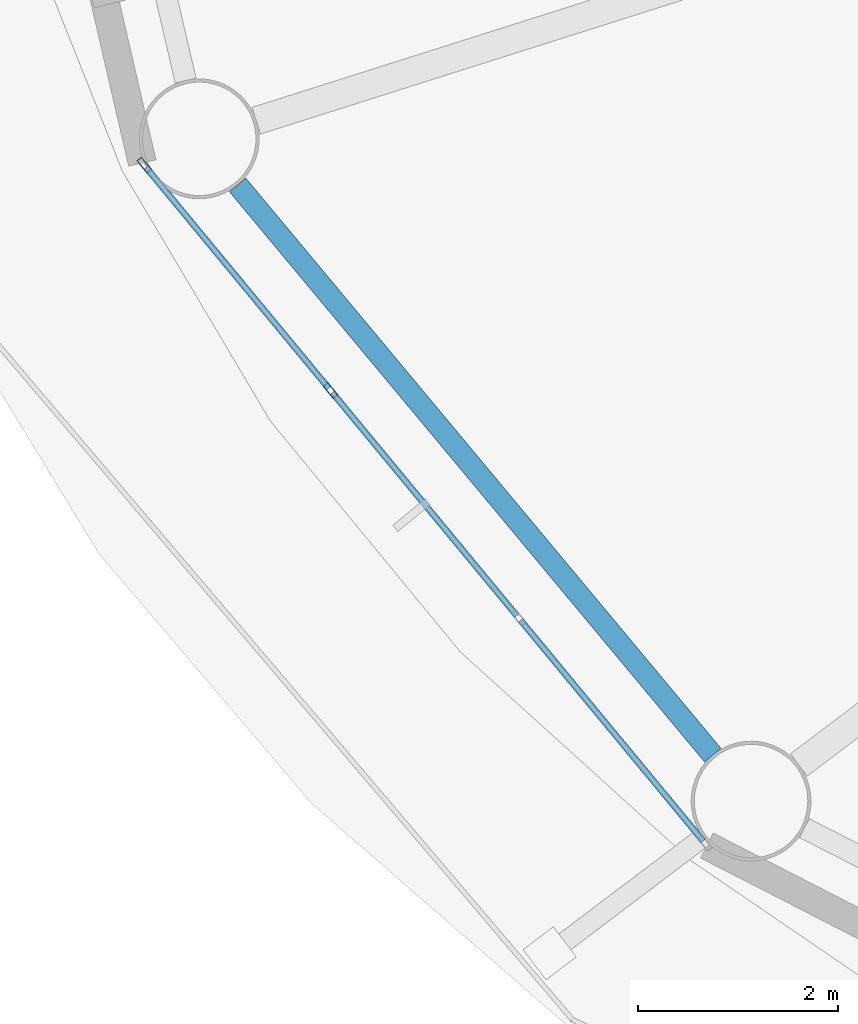
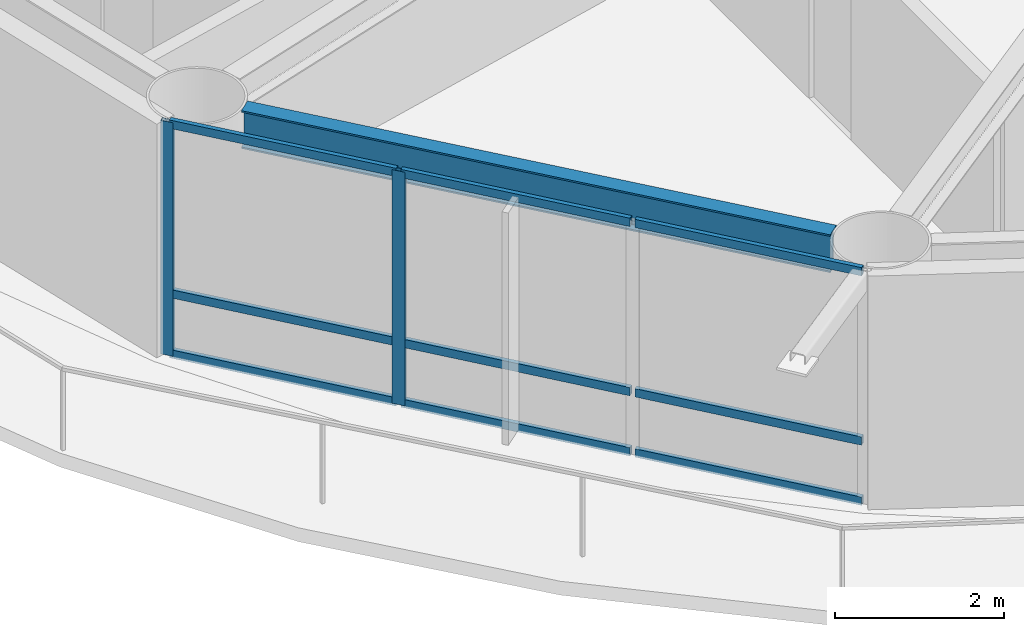
# One storey, part 3 of 27: 11 members, 1 beam, 1 element without a shape of its own.
"""IFC4 building model written with IfcOpenShell, lengths in metres."""

from ifc_helpers import new_model, si_unit, direction, frame, origin, origin_2d, place, context, subcontext, project, spatial, hollow_rectangle, i_section, extrude, material, layer, layer_set, material_profile, profile_set, type_object, element, aggregate, save


model = new_model("IFC4")

# Units and contexts
model_context = context("Model", 3, precision=1e-05, world=origin(), true_north=direction((0.0, 1.0)))
body_context = subcontext(model_context, "Body", "Model", "MODEL_VIEW")
ifc_project = project(units=[si_unit("LENGTHUNIT", "METRE"), si_unit("AREAUNIT", "SQUARE_METRE"), si_unit("VOLUMEUNIT", "CUBIC_METRE"), si_unit("PLANEANGLEUNIT", "RADIAN"), si_unit("MASSUNIT", "GRAM", prefix="KILO")], contexts=[model_context])

# Site, building, storey
site_placement = place(None, origin())
site = spatial("IfcSite", under=ifc_project, at=site_placement, CompositionType="ELEMENT")
building_placement = place(site_placement, origin())
building = spatial("IfcBuilding", under=site, at=building_placement, Name="Sarneth Arch Tower", CompositionType="ELEMENT")
storey_placement = place(building_placement, frame((0.0, 0.0, 186.60009765625)))
storey = spatial("IfcBuildingStorey", under=building, at=storey_placement, Name="L47", CompositionType="ELEMENT", Elevation=186.60009765625)

# Beam
ifc_material_1 = material(Name="Steel S355", Category="steel")
ifc_material_profile_1 = material_profile(ifc_material_1, i_section(OverallWidth=0.214111328125, OverallDepth=0.549072265625, WebThickness=0.0146484375, FlangeThickness=0.023681640625, FilletRadius=0.01806640625, at=origin_2d()), Name="W530x138")
ifc_profile_set_1 = profile_set([ifc_material_profile_1], Name="Steel S355")
beam_type = type_object("IfcBeamType", Name="BM-RAD-530A", PredefinedType="BEAM", material=ifc_profile_set_1)
beam_placement = place(storey_placement, frame((23.721923828125, 33.713134765625, 3.10546875), z_axis=(0.640161793626, -0.768240117399, 0.0), x_axis=(0.768240117399, 0.640161793626, 0.0)))
element("IfcBeam", 1, at=beam_placement, inside=storey, type_object=beam_type, Name="L47 Perimeter spandrel beam 10", PredefinedType="BEAM", context=body_context, shape_type="SweptSolid", body=[
    extrude(i_section(OverallWidth=0.214111328125, OverallDepth=0.549072265625, WebThickness=0.0146484375, FlangeThickness=0.023681640625, FilletRadius=0.01806640625, at=origin_2d()), origin(), (0.0, 0.0, 1.0), 7.43603515625),
])

# Curtain wall, members
ifc_material_2 = material(Name="Anodised aluminium Type AA25 and solar-control low-e laminated IGU", Category="aluminium")
ifc_layer = layer(ifc_material_2, 0.169921875)
ifc_layer_set = layer_set([ifc_layer], Name="Anodised aluminium Type AA25 and solar-control low-e laminated IGU")
curtain_wall_type = type_object("IfcCurtainWallType", Name="CW-RES-MID", PredefinedType="NOTDEFINED", material=ifc_layer_set)
curtain_wall_placement = place(storey_placement, origin())
curtain_wall = element("IfcCurtainWall", 2, at=curtain_wall_placement, inside=storey, type_object=curtain_wall_type, Name="L47 Unitised curtain wall facet 10", PredefinedType="NOTDEFINED")
ifc_material_3 = material(Name="Anodised Aluminium 6063-T6", Category="aluminium")
ifc_material_profile_2 = material_profile(ifc_material_3, hollow_rectangle(XDim=0.06005859375, YDim=0.159912109375, WallThickness=0.00390625, at=origin_2d()), Name="AL-MULL-160x60x4")
ifc_profile_set_2 = profile_set([ifc_material_profile_2], Name="Anodised Aluminium 6063-T6")
member_type_1 = type_object("IfcMemberType", Name="CW-MULLION", PredefinedType="MULLION", material=ifc_profile_set_2)
member_1_placement = place(storey_placement, frame((22.786865234375, 33.909912109375, 0.0), z_axis=(0.0, 0.0, 1.0), x_axis=(0.770590741276, 0.637330298558, 0.0)))
member_1 = element("IfcMember", 3, at=member_1_placement, type_object=member_type_1, Name="CW-SYS-5 mullion 1", PredefinedType="MULLION", context=body_context, shape_type="SweptSolid", body=[
    extrude(hollow_rectangle(XDim=0.06005859375, YDim=0.159912109375, WallThickness=0.00390625, at=origin_2d()), origin(), (0.0, 0.0, 1.0), 3.3798828125),
])
member_2_placement = place(storey_placement, frame((24.653076171875, 31.6533203125, 0.0), z_axis=(0.0, 0.0, 1.0), x_axis=(0.770590741276, 0.637330298558, 0.0)))
member_2 = element("IfcMember", 4, at=member_2_placement, type_object=member_type_1, Name="CW-SYS-5 mullion 2", PredefinedType="MULLION", context=body_context, shape_type="SweptSolid", body=[
    extrude(hollow_rectangle(XDim=0.06005859375, YDim=0.159912109375, WallThickness=0.00390625, at=origin_2d()), origin(), (0.0, 0.0, 1.0), 3.3798828125),
])
ifc_material_4 = material(Name="Anodised Aluminium 6063-T6", Category="aluminium")
ifc_material_profile_3 = material_profile(ifc_material_4, hollow_rectangle(XDim=0.06005859375, YDim=0.1201171875, WallThickness=0.00390625, at=origin_2d()), Name="AL-TRAN-120x60x4")
ifc_profile_set_3 = profile_set([ifc_material_profile_3], Name="Anodised Aluminium 6063-T6")
member_type_2 = type_object("IfcMemberType", Name="CW-TRANSOM", PredefinedType="USERDEFINED", material=ifc_profile_set_3)
member_3_placement = place(storey_placement, frame((22.805908203125, 33.88671875, 0.02978515625), z_axis=(0.637358651504, -0.770567290607, 0.0), x_axis=(0.770567290607, 0.637358651504, 0.0)))
member_3 = element("IfcMember", 5, at=member_3_placement, type_object=member_type_2, Name="CW-SYS-5 transom 1.1", ObjectType="TRANSOM", PredefinedType="USERDEFINED", context=body_context, shape_type="SweptSolid", body=[
    extrude(hollow_rectangle(XDim=0.06005859375, YDim=0.1201171875, WallThickness=0.00390625, at=origin_2d()), origin(), (0.0, 0.0, 1.0), 2.8681640625),
])
member_4_placement = place(storey_placement, frame((22.805908203125, 33.88671875, 0.89990234375), z_axis=(0.637358651504, -0.770567290607, 0.0), x_axis=(0.770567290607, 0.637358651504, 0.0)))
member_4 = element("IfcMember", 6, at=member_4_placement, type_object=member_type_2, Name="CW-SYS-5 transom 1.2", ObjectType="TRANSOM", PredefinedType="USERDEFINED", context=body_context, shape_type="SweptSolid", body=[
    extrude(hollow_rectangle(XDim=0.06005859375, YDim=0.1201171875, WallThickness=0.00390625, at=origin_2d()), origin(), (0.0, 0.0, 1.0), 2.8681640625),
])
member_5_placement = place(storey_placement, frame((22.805908203125, 33.88671875, 3.349853515625), z_axis=(0.637358651504, -0.770567290607, 0.0), x_axis=(0.770567290607, 0.637358651504, 0.0)))
member_5 = element("IfcMember", 7, at=member_5_placement, type_object=member_type_2, Name="CW-SYS-5 transom 1.3", ObjectType="TRANSOM", PredefinedType="USERDEFINED", context=body_context, shape_type="SweptSolid", body=[
    extrude(hollow_rectangle(XDim=0.06005859375, YDim=0.1201171875, WallThickness=0.00390625, at=origin_2d()), origin(), (0.0, 0.0, 1.0), 2.8681640625),
])
member_6_placement = place(storey_placement, frame((24.672119140625, 31.63037109375, 0.02978515625), z_axis=(0.637329777791, -0.770591171985, 0.0), x_axis=(0.770591171985, 0.637329777791, 0.0)))
member_6 = element("IfcMember", 8, at=member_6_placement, type_object=member_type_2, Name="CW-SYS-5 transom 2.1", ObjectType="TRANSOM", PredefinedType="USERDEFINED", context=body_context, shape_type="SweptSolid", body=[
    extrude(hollow_rectangle(XDim=0.06005859375, YDim=0.1201171875, WallThickness=0.00390625, at=origin_2d()), origin(), (0.0, 0.0, 1.0), 2.898193359375),
])
member_7_placement = place(storey_placement, frame((24.672119140625, 31.63037109375, 0.89990234375), z_axis=(0.637329777791, -0.770591171985, 0.0), x_axis=(0.770591171985, 0.637329777791, 0.0)))
member_7 = element("IfcMember", 9, at=member_7_placement, type_object=member_type_2, Name="CW-SYS-5 transom 2.2", ObjectType="TRANSOM", PredefinedType="USERDEFINED", context=body_context, shape_type="SweptSolid", body=[
    extrude(hollow_rectangle(XDim=0.06005859375, YDim=0.1201171875, WallThickness=0.00390625, at=origin_2d()), origin(), (0.0, 0.0, 1.0), 2.898193359375),
])
member_8_placement = place(storey_placement, frame((24.672119140625, 31.63037109375, 3.349853515625), z_axis=(0.637329777791, -0.770591171985, 0.0), x_axis=(0.770591171985, 0.637329777791, 0.0)))
member_8 = element("IfcMember", 10, at=member_8_placement, type_object=member_type_2, Name="CW-SYS-5 transom 2.3", ObjectType="TRANSOM", PredefinedType="USERDEFINED", context=body_context, shape_type="SweptSolid", body=[
    extrude(hollow_rectangle(XDim=0.06005859375, YDim=0.1201171875, WallThickness=0.00390625, at=origin_2d()), origin(), (0.0, 0.0, 1.0), 2.898193359375),
])
member_9_placement = place(storey_placement, frame((26.5576171875, 29.3505859375, 0.02978515625), z_axis=(0.637358651504, -0.770567290607, 0.0), x_axis=(0.770567290607, 0.637358651504, 0.0)))
member_9 = element("IfcMember", 11, at=member_9_placement, type_object=member_type_2, Name="CW-SYS-5 transom 3.1", ObjectType="TRANSOM", PredefinedType="USERDEFINED", context=body_context, shape_type="SweptSolid", body=[
    extrude(hollow_rectangle(XDim=0.06005859375, YDim=0.1201171875, WallThickness=0.00390625, at=origin_2d()), origin(), (0.0, 0.0, 1.0), 2.8681640625),
])
member_10_placement = place(storey_placement, frame((26.5576171875, 29.3505859375, 0.89990234375), z_axis=(0.637358651504, -0.770567290607, 0.0), x_axis=(0.770567290607, 0.637358651504, 0.0)))
member_10 = element("IfcMember", 12, at=member_10_placement, type_object=member_type_2, Name="CW-SYS-5 transom 3.2", ObjectType="TRANSOM", PredefinedType="USERDEFINED", context=body_context, shape_type="SweptSolid", body=[
    extrude(hollow_rectangle(XDim=0.06005859375, YDim=0.1201171875, WallThickness=0.00390625, at=origin_2d()), origin(), (0.0, 0.0, 1.0), 2.8681640625),
])
member_11_placement = place(storey_placement, frame((26.5576171875, 29.3505859375, 3.349853515625), z_axis=(0.637358651504, -0.770567290607, 0.0), x_axis=(0.770567290607, 0.637358651504, 0.0)))
member_11 = element("IfcMember", 13, at=member_11_placement, type_object=member_type_2, Name="CW-SYS-5 transom 3.3", ObjectType="TRANSOM", PredefinedType="USERDEFINED", context=body_context, shape_type="SweptSolid", body=[
    extrude(hollow_rectangle(XDim=0.06005859375, YDim=0.1201171875, WallThickness=0.00390625, at=origin_2d()), origin(), (0.0, 0.0, 1.0), 2.8681640625),
])
aggregate(curtain_wall, [member_1, member_2, member_3, member_4, member_5, member_6, member_7, member_8, member_9, member_10, member_11])

save(model, "model.ifc")
